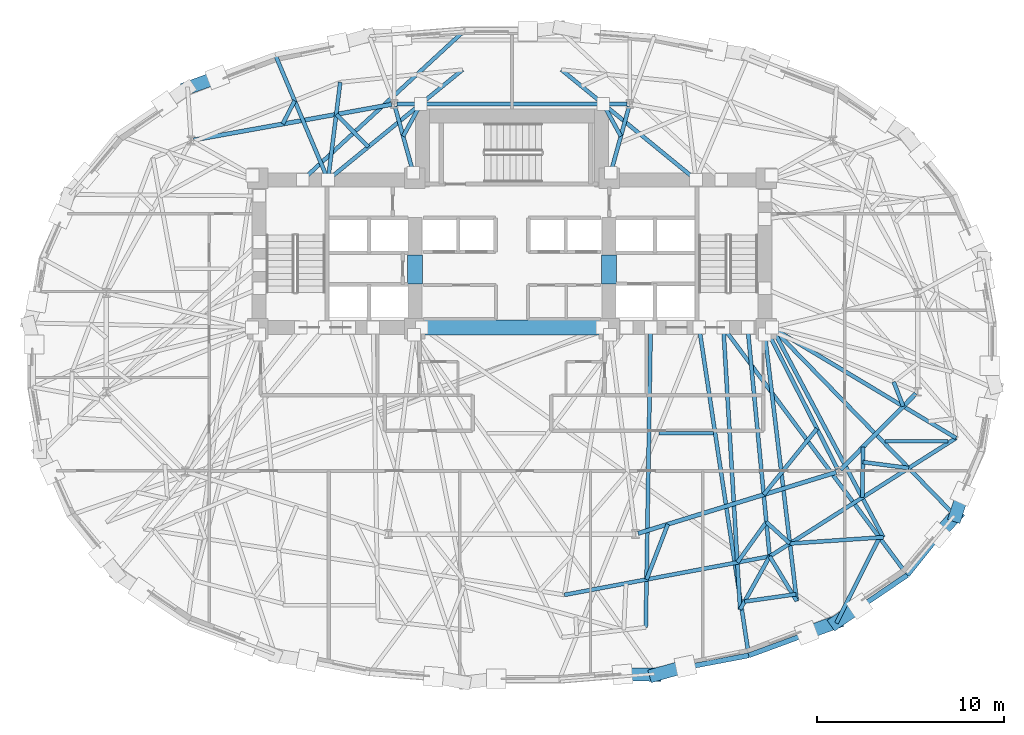
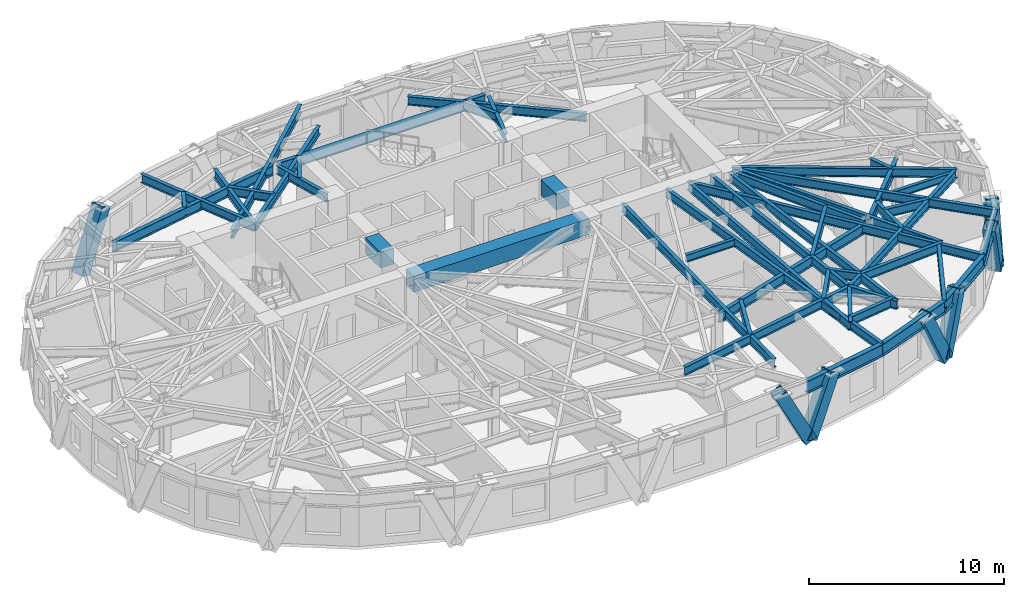
# One storey, part 3 of 14: 48 beams, 7 members.
"""IFC4 building model written with IfcOpenShell, lengths in metres."""

from ifc_helpers import new_model, si_unit, direction, frame, origin, origin_2d, place, context, subcontext, project, spatial, rectangle, hollow_rectangle, i_section, extrude, material, material_profile, profile_set, type_object, element, save


model = new_model("IFC4")

# Units and contexts
model_context = context("Model", 3, precision=1e-05, world=origin(), true_north=direction((0.0, 1.0)))
body_context = subcontext(model_context, "Body", "Model", "MODEL_VIEW")
ifc_project = project(units=[si_unit("LENGTHUNIT", "METRE"), si_unit("AREAUNIT", "SQUARE_METRE"), si_unit("VOLUMEUNIT", "CUBIC_METRE"), si_unit("PLANEANGLEUNIT", "RADIAN"), si_unit("MASSUNIT", "GRAM", prefix="KILO")], contexts=[model_context])

# Site, building, storey
site_placement = place(None, origin())
site = spatial("IfcSite", under=ifc_project, at=site_placement, CompositionType="ELEMENT")
building_placement = place(site_placement, origin())
building = spatial("IfcBuilding", under=site, at=building_placement, Name="Keldmark Tower", CompositionType="ELEMENT")
storey_placement = place(building_placement, frame((0.0, 0.0, 124.60009765625)))
storey = spatial("IfcBuildingStorey", under=building, at=storey_placement, Name="L33", CompositionType="ELEMENT", Elevation=124.60009765625)

# Beams
ifc_material_1 = material(Name="Steel ASTM A992 Grade 50", Category="steel")
ifc_material_profile_1 = material_profile(ifc_material_1, i_section(OverallWidth=0.19091796875, OverallDepth=0.45703125, WebThickness=0.009033203125, FlangeThickness=0.014404296875, at=origin_2d()), Name="W18X50")
ifc_profile_set_1 = profile_set([ifc_material_profile_1], Name="Steel ASTM A992 Grade 50")
beam_type_1 = type_object("IfcBeamType", Name="Composite Floor Joist W18X50", PredefinedType="JOIST", material=ifc_profile_set_1)
beam_1_placement = place(storey_placement, frame((7.868408203125, -4.179931640625, 3.081298828125), z_axis=(1.0, 0.0, 0.0), x_axis=(0.0, 1.0, 0.0)))
element("IfcBeam", 1, at=beam_1_placement, inside=storey, type_object=beam_type_1, Name="L33 Composite Floor Joist J03", PredefinedType="JOIST", context=body_context, shape_type="SweptSolid", body=[
    extrude(i_section(OverallWidth=0.19091796875, OverallDepth=0.45703125, WebThickness=0.009033203125, FlangeThickness=0.014404296875, at=origin_2d()), origin(), (0.0, 0.0, 1.0), 2.90087890625),
])
beam_2_placement = place(storey_placement, frame((19.949462890625, -4.60009765625, 3.081298828125), z_axis=(1.0, 0.0, 0.0), x_axis=(0.0, 1.0, 0.0)))
element("IfcBeam", 2, at=beam_2_placement, inside=storey, type_object=beam_type_1, Name="L33 Composite Floor Joist J04", PredefinedType="JOIST", context=body_context, shape_type="SweptSolid", body=[
    extrude(i_section(OverallWidth=0.19091796875, OverallDepth=0.45703125, WebThickness=0.009033203125, FlangeThickness=0.014404296875, at=origin_2d()), origin(), (0.0, 0.0, 1.0), 3.36669921875),
])
ifc_material_2 = material(Name="Concrete C70/85", Category="concrete")
ifc_material_profile_2 = material_profile(ifc_material_2, rectangle(XDim=0.800048828125, YDim=1.0, at=origin_2d()), Name="RCB800X1000")
ifc_profile_set_2 = profile_set([ifc_material_profile_2], Name="Concrete C70/85")
beam_type_2 = type_object("IfcBeamType", Name="Core Coupling Beam RCB800X1000", PredefinedType="USERDEFINED", material=ifc_profile_set_2)
for number, where, z_axis, x_axis, name in (
    (3, (-5.199951171875, 3.800048828125, 2.809814453125), (0.0, 1.0, 0.0), (-1.0, 0.0, 0.0), "L33 West Core Coupling Beam"),
    (4, (5.199951171875, 3.800048828125, 2.809814453125), (0.0, 1.0, 0.0), (-1.0, 0.0, 0.0), "L33 East Core Coupling Beam"),
):
    element("IfcBeam", number, at=place(storey_placement, frame(where, z_axis=z_axis, x_axis=x_axis)), inside=storey, type_object=beam_type_2, Name=name, ObjectType="COUPLING BEAM", PredefinedType="USERDEFINED", context=body_context, shape_type="SweptSolid", body=[
        extrude(rectangle(XDim=0.800048828125, YDim=1.0, at=origin_2d()), origin(), (0.0, 0.0, 1.0), 1.550048828125),
    ])
beam_3_placement = place(storey_placement, frame((-5.199951171875, 1.47509765625, 2.809814453125), z_axis=(1.0, 0.0, 0.0), x_axis=(0.0, 1.0, 0.0)))
element("IfcBeam", 5, at=beam_3_placement, inside=storey, type_object=beam_type_2, Name="L33 Central South Core Coupling Beam", ObjectType="COUPLING BEAM", PredefinedType="USERDEFINED", context=body_context, shape_type="SweptSolid", body=[
    extrude(rectangle(XDim=0.800048828125, YDim=1.0, at=origin_2d()), origin(), (0.0, 0.0, 1.0), 10.39990234375),
])

# Members
ifc_material_3 = material(Name="Steel ASTM A572 Grade 50", Category="steel")
ifc_material_profile_3 = material_profile(ifc_material_3, hollow_rectangle(XDim=0.699951171875, YDim=0.699951171875, WallThickness=0.044921875, at=origin_2d()), Name="BOX700X700X45")
ifc_profile_set_3 = profile_set([ifc_material_profile_3], Name="Steel ASTM A572 Grade 50")
member_type = type_object("IfcMemberType", Name="Diagrid Zone 2 Brace BOX700X700X45", PredefinedType="BRACE", material=ifc_profile_set_3)
member_1_placement = place(storey_placement, frame((-17.331787109375, 14.2890625, -0.27001953125), z_axis=(0.408255159444, 0.148837730918, 0.900652571551), x_axis=(-0.342517966183, 0.93951127872, 0.0)))
element("IfcMember", 6, at=member_1_placement, inside=storey, type_object=member_type, Name="L33 Perimeter Diagrid Brace 06A", PredefinedType="BRACE", context=body_context, shape_type="SweptSolid", body=[
    extrude(hollow_rectangle(XDim=0.699951171875, YDim=0.699951171875, WallThickness=0.044921875, at=origin_2d()), origin(), (0.0, 0.0, 1.0), 3.841552734375),
])
member_2_placement = place(storey_placement, frame((7.672607421875, -17.102294921875, -0.27001953125), z_axis=(-0.453185587123, 0.005157698563, 0.891401268661), x_axis=(-0.011380248427, -0.999935242876, 0.0)))
element("IfcMember", 7, at=member_2_placement, inside=storey, type_object=member_type, Name="L33 Perimeter Diagrid Brace 13A", PredefinedType="BRACE", context=body_context, shape_type="SweptSolid", body=[
    extrude(hollow_rectangle(XDim=0.699951171875, YDim=0.699951171875, WallThickness=0.044921875, at=origin_2d()), origin(), (0.0, 0.0, 1.0), 3.881591796875),
])
member_3_placement = place(storey_placement, frame((7.6611328125, -17.1044921875, -0.27001953125), z_axis=(0.421325777377, 0.118638639315, 0.899115933893), x_axis=(-0.271043582682, 0.962567076253, 0.0)))
element("IfcMember", 8, at=member_3_placement, inside=storey, type_object=member_type, Name="L33 Perimeter Diagrid Brace 13B", PredefinedType="BRACE", context=body_context, shape_type="SweptSolid", body=[
    extrude(hollow_rectangle(XDim=0.699951171875, YDim=0.699951171875, WallThickness=0.044921875, at=origin_2d()), origin(), (0.0, 0.0, 1.0), 3.84814453125),
])
member_4_placement = place(storey_placement, frame((17.331787109375, -14.2890625, -0.27001953125), z_axis=(-0.408255159444, -0.148837730918, 0.900652571551), x_axis=(0.342517966183, -0.93951127872, 0.0)))
element("IfcMember", 9, at=member_4_placement, inside=storey, type_object=member_type, Name="L33 Perimeter Diagrid Brace 14A", PredefinedType="BRACE", context=body_context, shape_type="SweptSolid", body=[
    extrude(hollow_rectangle(XDim=0.699951171875, YDim=0.699951171875, WallThickness=0.044921875, at=origin_2d()), origin(), (0.0, 0.0, 1.0), 3.841552734375),
])
member_5_placement = place(storey_placement, frame((17.322021484375, -14.29541015625, -0.27001953125), z_axis=(0.332975985914, 0.227601386532, 0.915054425514), x_axis=(-0.564305085306, 0.825566333312, 0.0)))
element("IfcMember", 10, at=member_5_placement, inside=storey, type_object=member_type, Name="L33 Perimeter Diagrid Brace 14B", PredefinedType="BRACE", context=body_context, shape_type="SweptSolid", body=[
    extrude(hollow_rectangle(XDim=0.699951171875, YDim=0.699951171875, WallThickness=0.044921875, at=origin_2d()), origin(), (0.0, 0.0, 1.0), 3.78125),
])
member_6_placement = place(storey_placement, frame((23.7333984375, -8.57958984375, -0.27001953125), z_axis=(-0.250572025596, -0.27604171934, 0.927908739679), x_axis=(0.740440522639, -0.672121888079, 0.0)))
element("IfcMember", 11, at=member_6_placement, inside=storey, type_object=member_type, Name="L33 Perimeter Diagrid Brace 15A", PredefinedType="BRACE", context=body_context, shape_type="SweptSolid", body=[
    extrude(hollow_rectangle(XDim=0.699951171875, YDim=0.699951171875, WallThickness=0.044921875, at=origin_2d()), origin(), (0.0, 0.0, 1.0), 3.728759765625),
])
member_7_placement = place(storey_placement, frame((23.72705078125, -8.58935546875, -0.27001953125), z_axis=(0.105278701487, 0.318893440489, 0.94192535194), x_axis=(-0.949589769404, 0.313495246923, 0.0)))
element("IfcMember", 12, at=member_7_placement, inside=storey, type_object=member_type, Name="L33 Perimeter Diagrid Brace 15B", PredefinedType="BRACE", context=body_context, shape_type="SweptSolid", body=[
    extrude(hollow_rectangle(XDim=0.699951171875, YDim=0.699951171875, WallThickness=0.044921875, at=origin_2d()), origin(), (0.0, 0.0, 1.0), 3.67333984375),
])

# Beams
ifc_material_4 = material(Name="Steel ASTM A992 Grade 50", Category="steel")
ifc_material_profile_4 = material_profile(ifc_material_4, i_section(OverallWidth=0.22900390625, OverallDepth=0.612060546875, WebThickness=0.011962890625, FlangeThickness=0.01953125, at=origin_2d()), Name="W24X84")
ifc_profile_set_4 = profile_set([ifc_material_profile_4], Name="Steel ASTM A992 Grade 50")
beam_type_3 = type_object("IfcBeamType", Name="Primary Floor Girder W24X84", PredefinedType="BEAM", material=ifc_profile_set_4)
beam_4_placement = place(storey_placement, frame((6.15869140625, 13.4326171875, 3.00390625), z_axis=(-1.0, 0.0, 0.0), x_axis=(0.0, -1.0, 0.0)))
element("IfcBeam", 13, at=beam_4_placement, inside=storey, type_object=beam_type_3, Name="L33 Floor Ring Girder FG-R03", PredefinedType="BEAM", context=body_context, shape_type="SweptSolid", body=[
    extrude(i_section(OverallWidth=0.22900390625, OverallDepth=0.612060546875, WebThickness=0.011962890625, FlangeThickness=0.01953125, at=origin_2d()), origin(), (0.0, 0.0, 1.0), 12.3173828125),
])
beam_5_placement = place(storey_placement, frame((-6.4365234375, 13.40771484375, 3.00390625), z_axis=(-0.984218266992, -0.176958760505, 0.0), x_axis=(0.176958760505, -0.984218266992, 0.0)))
element("IfcBeam", 14, at=beam_5_placement, inside=storey, type_object=beam_type_3, Name="L33 Floor Ring Girder FG-R04", PredefinedType="BEAM", context=body_context, shape_type="SweptSolid", body=[
    extrude(i_section(OverallWidth=0.22900390625, OverallDepth=0.612060546875, WebThickness=0.011962890625, FlangeThickness=0.01953125, at=origin_2d()), origin(), (0.0, 0.0, 1.0), 10.7626953125),
])
beam_6_placement = place(storey_placement, frame((6.74658203125, -9.5380859375, 3.00390625), z_axis=(0.955607954968, 0.294641199432, 0.0), x_axis=(-0.294641199432, 0.955607954968, 0.0)))
element("IfcBeam", 15, at=beam_6_placement, inside=storey, type_object=beam_type_3, Name="L33 Floor Ring Girder FG-R10", PredefinedType="BEAM", context=body_context, shape_type="SweptSolid", body=[
    extrude(i_section(OverallWidth=0.22900390625, OverallDepth=0.612060546875, WebThickness=0.011962890625, FlangeThickness=0.01953125, at=origin_2d()), origin(), (0.0, 0.0, 1.0), 11.089111328125),
])
beam_7_placement = place(storey_placement, frame((17.57568359375, -6.130126953125, 3.00390625), z_axis=(0.703425791323, 0.71076870788, 0.0), x_axis=(-0.71076870788, 0.703425791323, 0.0)))
element("IfcBeam", 16, at=beam_7_placement, inside=storey, type_object=beam_type_3, Name="L33 Floor Ring Girder FG-R11", PredefinedType="BEAM", context=body_context, shape_type="SweptSolid", body=[
    extrude(i_section(OverallWidth=0.22900390625, OverallDepth=0.612060546875, WebThickness=0.011962890625, FlangeThickness=0.01953125, at=origin_2d()), origin(), (0.0, 0.0, 1.0), 5.71875),
])
ifc_material_5 = material(Name="Steel ASTM A992 Grade 50", Category="steel")
ifc_material_profile_5 = material_profile(ifc_material_5, i_section(OverallWidth=0.2099609375, OverallDepth=0.537109375, WebThickness=0.010986328125, FlangeThickness=0.017333984375, at=origin_2d()), Name="W21X68")
ifc_profile_set_5 = profile_set([ifc_material_profile_5], Name="Steel ASTM A992 Grade 50")
beam_type_4 = type_object("IfcBeamType", Name="Radial Tie Girder W21X68", PredefinedType="BEAM", material=ifc_profile_set_5)
for number, where, z_axis, x_axis, name in (
    (17, (6.26171875, 13.297607421875, 3.04150390625), (-0.265997186795, -0.963973804944, 0.0), (0.963973804944, -0.265997186795, 0.0), "L33 Floor Radial Girder FG-C03"),
    (18, (-6.26171875, 13.297607421875, 3.04150390625), (0.265997186795, -0.963973804944, 0.0), (0.963973804944, 0.265997186795, 0.0), "L33 Floor Radial Girder FG-C04"),
):
    element("IfcBeam", number, at=place(storey_placement, frame(where, z_axis=z_axis, x_axis=x_axis)), inside=storey, type_object=beam_type_4, Name=name, PredefinedType="BEAM", context=body_context, shape_type="SweptSolid", body=[
        extrude(i_section(OverallWidth=0.2099609375, OverallDepth=0.537109375, WebThickness=0.010986328125, FlangeThickness=0.017333984375, at=origin_2d()), origin(), (0.0, 0.0, 1.0), 3.67138671875),
    ])
beam_8_placement = place(storey_placement, frame((17.413818359375, -6.104736328125, 3.04150390625), z_axis=(-0.453028637759, 0.891495963743, 0.0), x_axis=(-0.891495963743, -0.453028637759, 0.0)))
element("IfcBeam", 19, at=beam_8_placement, inside=storey, type_object=beam_type_4, Name="L33 Floor Radial Girder FG-C11", PredefinedType="BEAM", context=body_context, shape_type="SweptSolid", body=[
    extrude(i_section(OverallWidth=0.2099609375, OverallDepth=0.537109375, WebThickness=0.010986328125, FlangeThickness=0.017333984375, at=origin_2d()), origin(), (0.0, 0.0, 1.0), 8.09814453125),
])
beam_9_placement = place(storey_placement, frame((5.822265625, 11.705078125, 3.04150390625), z_axis=(-0.479269211675, 0.877667945604, 0.0), x_axis=(-0.877667945604, -0.479269211675, 0.0)))
element("IfcBeam", 20, at=beam_9_placement, inside=storey, type_object=beam_type_4, Name="L33 Framing Pin Header PH-003", PredefinedType="BEAM", context=body_context, shape_type="SweptSolid", body=[
    extrude(i_section(OverallWidth=0.2099609375, OverallDepth=0.537109375, WebThickness=0.010986328125, FlangeThickness=0.017333984375, at=origin_2d()), origin(), (0.0, 0.0, 1.0), 1.96826171875),
])
beam_10_placement = place(storey_placement, frame((9.83935546875, 9.375, 3.04150390625), z_axis=(-0.774026318723, 0.633153423685, 0.0), x_axis=(-0.633153423685, -0.774026318723, 0.0)))
element("IfcBeam", 21, at=beam_10_placement, inside=storey, type_object=beam_type_4, Name="L33 Sub-Ring Step Girder STP1-M03", PredefinedType="BEAM", context=body_context, shape_type="SweptSolid", body=[
    extrude(i_section(OverallWidth=0.2099609375, OverallDepth=0.537109375, WebThickness=0.010986328125, FlangeThickness=0.017333984375, at=origin_2d()), origin(), (0.0, 0.0, 1.0), 9.2978515625),
])
beam_11_placement = place(storey_placement, frame((-5.822265625, 11.705078125, 3.04150390625), z_axis=(0.479269211675, 0.877667945604, 0.0), x_axis=(-0.877667945604, 0.479269211675, 0.0)))
element("IfcBeam", 22, at=beam_11_placement, inside=storey, type_object=beam_type_4, Name="L33 Framing Pin Header PH-004", PredefinedType="BEAM", context=body_context, shape_type="SweptSolid", body=[
    extrude(i_section(OverallWidth=0.2099609375, OverallDepth=0.537109375, WebThickness=0.010986328125, FlangeThickness=0.017333984375, at=origin_2d()), origin(), (0.0, 0.0, 1.0), 1.96826171875),
])
beam_12_placement = place(storey_placement, frame((-9.83935546875, 9.375, 3.04150390625), z_axis=(0.774026318723, 0.633153423685, 0.0), x_axis=(-0.633153423685, 0.774026318723, 0.0)))
element("IfcBeam", 23, at=beam_12_placement, inside=storey, type_object=beam_type_4, Name="L33 Sub-Ring Step Girder STP1-M04", PredefinedType="BEAM", context=body_context, shape_type="SweptSolid", body=[
    extrude(i_section(OverallWidth=0.2099609375, OverallDepth=0.537109375, WebThickness=0.010986328125, FlangeThickness=0.017333984375, at=origin_2d()), origin(), (0.0, 0.0, 1.0), 9.2978515625),
])
beam_13_placement = place(storey_placement, frame((-7.680419921875, 11.14111328125, 3.04150390625), z_axis=(-0.704804986966, 0.709401106813, 0.0), x_axis=(-0.709401106813, -0.704804986966, 0.0)))
element("IfcBeam", 24, at=beam_13_placement, inside=storey, type_object=beam_type_4, Name="L33 Framing Pin Header PH-005", PredefinedType="BEAM", context=body_context, shape_type="SweptSolid", body=[
    extrude(i_section(OverallWidth=0.2099609375, OverallDepth=0.537109375, WebThickness=0.010986328125, FlangeThickness=0.017333984375, at=origin_2d()), origin(), (0.0, 0.0, 1.0), 2.443359375),
])
beam_14_placement = place(storey_placement, frame((-9.83935546875, 9.375, 3.04150390625), z_axis=(0.123828856839, 0.992303589741, 0.0), x_axis=(-0.992303589741, 0.123828856839, 0.0)))
element("IfcBeam", 25, at=beam_14_placement, inside=storey, type_object=beam_type_4, Name="L33 Sub-Ring Step Girder STP1-M05", PredefinedType="BEAM", context=body_context, shape_type="SweptSolid", body=[
    extrude(i_section(OverallWidth=0.2099609375, OverallDepth=0.537109375, WebThickness=0.010986328125, FlangeThickness=0.017333984375, at=origin_2d()), origin(), (0.0, 0.0, 1.0), 5.25439453125),
])
beam_15_placement = place(storey_placement, frame((16.313232421875, -3.93896484375, 3.04150390625), z_axis=(-0.628195461395, -0.778055565035, 0.0), x_axis=(0.778055565035, -0.628195461395, 0.0)))
element("IfcBeam", 26, at=beam_15_placement, inside=storey, type_object=beam_type_4, Name="L33 Framing Pin Header PH-012", PredefinedType="BEAM", context=body_context, shape_type="SweptSolid", body=[
    extrude(i_section(OverallWidth=0.2099609375, OverallDepth=0.537109375, WebThickness=0.010986328125, FlangeThickness=0.017333984375, at=origin_2d()), origin(), (0.0, 0.0, 1.0), 4.533935546875),
])
beam_16_placement = place(storey_placement, frame((12.603515625, 1.47509765625, 3.04150390625), z_axis=(0.095920780364, -0.995388971154, 0.0), x_axis=(0.995388971154, 0.095920780364, 0.0)))
element("IfcBeam", 27, at=beam_16_placement, inside=storey, type_object=beam_type_4, Name="L33 Sub-Ring Step Girder STP2-M11", PredefinedType="BEAM", context=body_context, shape_type="SweptSolid", body=[
    extrude(i_section(OverallWidth=0.2099609375, OverallDepth=0.537109375, WebThickness=0.010986328125, FlangeThickness=0.017333984375, at=origin_2d()), origin(), (0.0, 0.0, 1.0), 12.301025390625),
])
beam_17_placement = place(storey_placement, frame((20.416748046875, -1.433837890625, 3.04150390625), z_axis=(0.363560869249, -0.93157044519, 0.0), x_axis=(0.93157044519, 0.363560869249, 0.0)))
element("IfcBeam", 28, at=beam_17_placement, inside=storey, type_object=beam_type_4, Name="L33 Framing Pin Header PH-013", PredefinedType="BEAM", context=body_context, shape_type="SweptSolid", body=[
    extrude(i_section(OverallWidth=0.2099609375, OverallDepth=0.537109375, WebThickness=0.010986328125, FlangeThickness=0.017333984375, at=origin_2d()), origin(), (0.0, 0.0, 1.0), 1.405517578125),
])
beam_18_placement = place(storey_placement, frame((13.89990234375, 1.47509765625, 3.04150390625), z_axis=(0.857412310536, -0.514630090201, 0.0), x_axis=(0.514630090201, 0.857412310536, 0.0)))
element("IfcBeam", 29, at=beam_18_placement, inside=storey, type_object=beam_type_4, Name="L33 Sub-Ring Step Girder STP2-M12", PredefinedType="BEAM", context=body_context, shape_type="SweptSolid", body=[
    extrude(i_section(OverallWidth=0.2099609375, OverallDepth=0.537109375, WebThickness=0.010986328125, FlangeThickness=0.017333984375, at=origin_2d()), origin(), (0.0, 0.0, 1.0), 11.491943359375),
])
beam_19_placement = place(storey_placement, frame((2.804443359375, -12.829345703125, 3.04150390625), z_axis=(0.982847931043, 0.184417852838, 0.0), x_axis=(-0.184417852838, 0.982847931043, 0.0)))
element("IfcBeam", 30, at=beam_19_placement, inside=storey, type_object=beam_type_4, Name="L33 Perimeter Collector Ring Beam CRG2-M10", PredefinedType="BEAM", context=body_context, shape_type="SweptSolid", body=[
    extrude(i_section(OverallWidth=0.2099609375, OverallDepth=0.537109375, WebThickness=0.010986328125, FlangeThickness=0.017333984375, at=origin_2d()), origin(), (0.0, 0.0, 1.0), 11.170654296875),
])
beam_20_placement = place(storey_placement, frame((13.783447265625, -10.769287109375, 3.04150390625), z_axis=(0.84419989674, 0.536028482774, 0.0), x_axis=(-0.536028482774, 0.84419989674, 0.0)))
element("IfcBeam", 31, at=beam_20_placement, inside=storey, type_object=beam_type_4, Name="L33 Perimeter Collector Ring Beam CRG2-M11", PredefinedType="BEAM", context=body_context, shape_type="SweptSolid", body=[
    extrude(i_section(OverallWidth=0.2099609375, OverallDepth=0.537109375, WebThickness=0.010986328125, FlangeThickness=0.017333984375, at=origin_2d()), origin(), (0.0, 0.0, 1.0), 11.8095703125),
])
beam_21_placement = place(storey_placement, frame((-11.19287109375, 9.375, 3.04150390625), z_axis=(0.734892307756, 0.678183821689, 0.0), x_axis=(-0.678183821689, 0.734892307756, 0.0)))
element("IfcBeam", 32, at=beam_21_placement, inside=storey, type_object=beam_type_4, Name="L33 Perimeter Radial Tie Girder RT-09", PredefinedType="BEAM", context=body_context, shape_type="SweptSolid", body=[
    extrude(i_section(OverallWidth=0.2099609375, OverallDepth=0.537109375, WebThickness=0.010986328125, FlangeThickness=0.017333984375, at=origin_2d()), origin(), (0.0, 0.0, 1.0), 11.796142578125),
])
beam_22_placement = place(storey_placement, frame((-12.2626953125, 12.360107421875, 3.04150390625), z_axis=(0.455295606258, 0.890340334323, 0.0), x_axis=(-0.890340334323, 0.455295606258, 0.0)))
element("IfcBeam", 33, at=beam_22_placement, inside=storey, type_object=beam_type_4, Name="L33 Framing Pin Header PH-020", PredefinedType="BEAM", context=body_context, shape_type="SweptSolid", body=[
    extrude(i_section(OverallWidth=0.2099609375, OverallDepth=0.537109375, WebThickness=0.010986328125, FlangeThickness=0.017333984375, at=origin_2d()), origin(), (0.0, 0.0, 1.0), 1.3984375),
])
beam_23_placement = place(storey_placement, frame((-9.83935546875, 9.375, 3.04150390625), z_axis=(-0.389053190492, 0.921215292409, 0.0), x_axis=(-0.921215292409, -0.389053190492, 0.0)))
element("IfcBeam", 34, at=beam_23_placement, inside=storey, type_object=beam_type_4, Name="L33 Perimeter Radial Tie Girder RT-11", PredefinedType="BEAM", context=body_context, shape_type="SweptSolid", body=[
    extrude(i_section(OverallWidth=0.2099609375, OverallDepth=0.537109375, WebThickness=0.010986328125, FlangeThickness=0.017333984375, at=origin_2d()), origin(), (0.0, 0.0, 1.0), 7.262451171875),
])
beam_24_placement = place(storey_placement, frame((8.336181640625, -9.048095703125, 3.04150390625), z_axis=(-0.359484972026, -0.933150874665, 0.0), x_axis=(0.933150874665, -0.359484972026, 0.0)))
element("IfcBeam", 35, at=beam_24_placement, inside=storey, type_object=beam_type_4, Name="L33 Framing Pin Header PH-036", PredefinedType="BEAM", context=body_context, shape_type="SweptSolid", body=[
    extrude(i_section(OverallWidth=0.2099609375, OverallDepth=0.537109375, WebThickness=0.010986328125, FlangeThickness=0.017333984375, at=origin_2d()), origin(), (0.0, 0.0, 1.0), 3.1689453125),
])
beam_25_placement = place(storey_placement, frame((7.41796875, 1.47509765625, 3.04150390625), z_axis=(-0.016377769552, -0.999865875338, 0.0), x_axis=(0.999865875338, -0.016377769552, 0.0)))
element("IfcBeam", 36, at=beam_25_placement, inside=storey, type_object=beam_type_4, Name="L33 Intermediate Radial Step Girder RT-26M", PredefinedType="BEAM", context=body_context, shape_type="SweptSolid", body=[
    extrude(i_section(OverallWidth=0.2099609375, OverallDepth=0.537109375, WebThickness=0.010986328125, FlangeThickness=0.017333984375, at=origin_2d()), origin(), (0.0, 0.0, 1.0), 16.039794921875),
])
beam_26_placement = place(storey_placement, frame((13.6064453125, -8.9326171875, 3.04150390625), z_axis=(-0.583310798175, -0.812249046003, 0.0), x_axis=(0.812249046003, -0.583310798175, 0.0)))
element("IfcBeam", 37, at=beam_26_placement, inside=storey, type_object=beam_type_4, Name="L33 Framing Pin Header PH-038", PredefinedType="BEAM", context=body_context, shape_type="SweptSolid", body=[
    extrude(i_section(OverallWidth=0.2099609375, OverallDepth=0.537109375, WebThickness=0.010986328125, FlangeThickness=0.017333984375, at=origin_2d()), origin(), (0.0, 0.0, 1.0), 2.66064453125),
])
beam_27_placement = place(storey_placement, frame((11.30712890625, 1.47509765625, 3.04150390625), z_axis=(0.059361331212, -0.99823656132, 0.0), x_axis=(0.99823656132, 0.059361331212, 0.0)))
element("IfcBeam", 38, at=beam_27_placement, inside=storey, type_object=beam_type_4, Name="L33 Intermediate Radial Step Girder RT-27M", PredefinedType="BEAM", context=body_context, shape_type="SweptSolid", body=[
    extrude(i_section(OverallWidth=0.2099609375, OverallDepth=0.537109375, WebThickness=0.010986328125, FlangeThickness=0.017333984375, at=origin_2d()), origin(), (0.0, 0.0, 1.0), 15.1103515625),
])
beam_28_placement = place(storey_placement, frame((13.783447265625, -10.769287109375, 3.04150390625), z_axis=(-0.486095846732, -0.873905502781, 0.0), x_axis=(0.873905502781, -0.486095846732, 0.0)))
element("IfcBeam", 39, at=beam_28_placement, inside=storey, type_object=beam_type_4, Name="L33 Local Collector Chord RT-27C", PredefinedType="BEAM", context=body_context, shape_type="SweptSolid", body=[
    extrude(i_section(OverallWidth=0.2099609375, OverallDepth=0.537109375, WebThickness=0.010986328125, FlangeThickness=0.017333984375, at=origin_2d()), origin(), (0.0, 0.0, 1.0), 3.2490234375),
])
beam_29_placement = place(storey_placement, frame((10.0107421875, 1.47509765625, 3.04150390625), z_axis=(0.149608875973, -0.988745257501, 0.0), x_axis=(0.988745257501, 0.149608875973, 0.0)))
element("IfcBeam", 40, at=beam_29_placement, inside=storey, type_object=beam_type_4, Name="L33 Perimeter Radial Tie Girder RT-27", PredefinedType="BEAM", context=body_context, shape_type="SweptSolid", body=[
    extrude(i_section(OverallWidth=0.2099609375, OverallDepth=0.537109375, WebThickness=0.010986328125, FlangeThickness=0.017333984375, at=origin_2d()), origin(), (0.0, 0.0, 1.0), 17.739990234375),
])
beam_30_placement = place(storey_placement, frame((13.6064453125, -8.9326171875, 3.04150390625), z_axis=(0.738181604681, -0.67460204455, 0.0), x_axis=(0.67460204455, 0.738181604681, 0.0)))
element("IfcBeam", 41, at=beam_30_placement, inside=storey, type_object=beam_type_4, Name="L33 Framing Pin Header PH-039", PredefinedType="BEAM", context=body_context, shape_type="SweptSolid", body=[
    extrude(i_section(OverallWidth=0.2099609375, OverallDepth=0.537109375, WebThickness=0.010986328125, FlangeThickness=0.017333984375, at=origin_2d()), origin(), (0.0, 0.0, 1.0), 1.704833984375),
])
beam_31_placement = place(storey_placement, frame((13.52490234375, 1.10009765625, 3.04150390625), z_axis=(0.118977615807, -0.992896936714, 0.0), x_axis=(0.992896936714, 0.118977615807, 0.0)))
element("IfcBeam", 42, at=beam_31_placement, inside=storey, type_object=beam_type_4, Name="L33 Intermediate Radial Step Girder RT-28M", PredefinedType="BEAM", context=body_context, shape_type="SweptSolid", body=[
    extrude(i_section(OverallWidth=0.2099609375, OverallDepth=0.537109375, WebThickness=0.010986328125, FlangeThickness=0.017333984375, at=origin_2d()), origin(), (0.0, 0.0, 1.0), 14.35986328125),
])
beam_32_placement = place(storey_placement, frame((13.783447265625, -10.769287109375, 3.04150390625), z_axis=(0.518934811287, -0.854813816942, 0.0), x_axis=(0.854813816942, 0.518934811287, 0.0)))
element("IfcBeam", 43, at=beam_32_placement, inside=storey, type_object=beam_type_4, Name="L33 Local Collector Chord RT-28C", PredefinedType="BEAM", context=body_context, shape_type="SweptSolid", body=[
    extrude(i_section(OverallWidth=0.2099609375, OverallDepth=0.537109375, WebThickness=0.010986328125, FlangeThickness=0.017333984375, at=origin_2d()), origin(), (0.0, 0.0, 1.0), 2.794189453125),
])
beam_33_placement = place(storey_placement, frame((12.44091796875, -13.182861328125, 3.04150390625), z_axis=(0.990152473716, 0.13999313838, 0.0), x_axis=(-0.13999313838, 0.990152473716, 0.0)))
element("IfcBeam", 44, at=beam_33_placement, inside=storey, type_object=beam_type_4, Name="L33 Framing Pin Header PH-040", PredefinedType="BEAM", context=body_context, shape_type="SweptSolid", body=[
    extrude(i_section(OverallWidth=0.2099609375, OverallDepth=0.537109375, WebThickness=0.010986328125, FlangeThickness=0.017333984375, at=origin_2d()), origin(), (0.0, 0.0, 1.0), 2.7763671875),
])
beam_34_placement = place(storey_placement, frame((18.78271484375, -4.91064453125, 3.04150390625), z_axis=(-0.017089983048, -0.999853955575, 0.0), x_axis=(0.999853955575, -0.017089983048, 0.0)))
element("IfcBeam", 45, at=beam_34_placement, inside=storey, type_object=beam_type_4, Name="L33 Framing Pin Header PH-041", PredefinedType="BEAM", context=body_context, shape_type="SweptSolid", body=[
    extrude(i_section(OverallWidth=0.2099609375, OverallDepth=0.537109375, WebThickness=0.010986328125, FlangeThickness=0.017333984375, at=origin_2d()), origin(), (0.0, 0.0, 1.0), 2.71435546875),
])
beam_35_placement = place(storey_placement, frame((13.89990234375, 1.47509765625, 3.04150390625), z_axis=(0.46932425964, -0.883025899571, 0.0), x_axis=(0.883025899571, 0.46932425964, 0.0)))
element("IfcBeam", 46, at=beam_35_placement, inside=storey, type_object=beam_type_4, Name="L33 Intermediate Radial Step Girder RT-29M", PredefinedType="BEAM", context=body_context, shape_type="SweptSolid", body=[
    extrude(i_section(OverallWidth=0.2099609375, OverallDepth=0.537109375, WebThickness=0.010986328125, FlangeThickness=0.017333984375, at=origin_2d()), origin(), (0.0, 0.0, 1.0), 12.706787109375),
])
beam_36_placement = place(storey_placement, frame((14.864990234375, -10.082763671875, 3.04150390625), z_axis=(0.997729613967, 0.067346992601, 0.0), x_axis=(-0.067346992601, 0.997729613967, 0.0)))
element("IfcBeam", 47, at=beam_36_placement, inside=storey, type_object=beam_type_4, Name="L33 Local Collector Chord RT-29C", PredefinedType="BEAM", context=body_context, shape_type="SweptSolid", body=[
    extrude(i_section(OverallWidth=0.2099609375, OverallDepth=0.537109375, WebThickness=0.010986328125, FlangeThickness=0.017333984375, at=origin_2d()), origin(), (0.0, 0.0, 1.0), 5.010009765625),
])
beam_37_placement = place(storey_placement, frame((17.355224609375, -14.338134765625, 3.04150390625), z_axis=(0.448928057577, 0.893567904034, 0.0), x_axis=(-0.893567904034, 0.448928057577, 0.0)))
element("IfcBeam", 48, at=beam_37_placement, inside=storey, type_object=beam_type_4, Name="L33 Framing Pin Header PH-042", PredefinedType="BEAM", context=body_context, shape_type="SweptSolid", body=[
    extrude(i_section(OverallWidth=0.2099609375, OverallDepth=0.537109375, WebThickness=0.010986328125, FlangeThickness=0.017333984375, at=origin_2d()), origin(), (0.0, 0.0, 1.0), 5.1240234375),
])
beam_38_placement = place(storey_placement, frame((11.30712890625, 1.47509765625, 3.04150390625), z_axis=(0.596442512985, -0.802655797154, 0.0), x_axis=(0.802655797154, 0.596442512985, 0.0)))
element("IfcBeam", 49, at=beam_38_placement, inside=storey, type_object=beam_type_4, Name="L33 Perimeter Radial Tie Girder RT-29", PredefinedType="BEAM", context=body_context, shape_type="SweptSolid", body=[
    extrude(i_section(OverallWidth=0.2099609375, OverallDepth=0.537109375, WebThickness=0.010986328125, FlangeThickness=0.017333984375, at=origin_2d()), origin(), (0.0, 0.0, 1.0), 16.498046875),
])
beam_39_placement = place(storey_placement, frame((18.768798828125, -5.724853515625, 3.04150390625), z_axis=(0.991515996219, -0.129984726958, 0.0), x_axis=(0.129984726958, 0.991515996219, 0.0)))
element("IfcBeam", 50, at=beam_39_placement, inside=storey, type_object=beam_type_4, Name="L33 Framing Pin Header PH-043", PredefinedType="BEAM", context=body_context, shape_type="SweptSolid", body=[
    extrude(i_section(OverallWidth=0.2099609375, OverallDepth=0.537109375, WebThickness=0.010986328125, FlangeThickness=0.017333984375, at=origin_2d()), origin(), (0.0, 0.0, 1.0), 2.4736328125),
])
beam_40_placement = place(storey_placement, frame((13.89990234375, 1.47509765625, 3.04150390625), z_axis=(0.697514742413, -0.71657043207, 0.0), x_axis=(0.71657043207, 0.697514742413, 0.0)))
element("IfcBeam", 51, at=beam_40_placement, inside=storey, type_object=beam_type_4, Name="L33 Perimeter Radial Tie Girder RT-30", PredefinedType="BEAM", context=body_context, shape_type="SweptSolid", body=[
    extrude(i_section(OverallWidth=0.2099609375, OverallDepth=0.537109375, WebThickness=0.010986328125, FlangeThickness=0.017333984375, at=origin_2d()), origin(), (0.0, 0.0, 1.0), 14.0419921875),
])
ifc_material_6 = material(Name="Steel ASTM A992 Grade 50", Category="steel")
ifc_material_profile_6 = material_profile(ifc_material_6, i_section(OverallWidth=0.26806640625, OverallDepth=0.77001953125, WebThickness=0.015625, FlangeThickness=0.025390625, at=origin_2d()), Name="W30X132")
ifc_profile_set_6 = profile_set([ifc_material_profile_6], Name="Steel ASTM A992 Grade 50")
beam_type_5 = type_object("IfcBeamType", Name="Spandrel Ring Beam W30X132", PredefinedType="SPANDREL", material=ifc_profile_set_6)
beam_41_placement = place(storey_placement, frame((7.6171875, -17.025390625, 2.9248046875), z_axis=(0.982383038938, 0.186878476041, 0.0), x_axis=(-0.186878476041, 0.982383038938, 0.0)))
element("IfcBeam", 52, at=beam_41_placement, inside=storey, type_object=beam_type_5, Name="L33 Perimeter Spandrel Ring Beam SRB-26", PredefinedType="SPANDREL", context=body_context, shape_type="SweptSolid", body=[
    extrude(i_section(OverallWidth=0.26806640625, OverallDepth=0.77001953125, WebThickness=0.015625, FlangeThickness=0.025390625, at=origin_2d()), origin(), (0.0, 0.0, 1.0), 5.13818359375),
])
beam_42_placement = place(storey_placement, frame((12.664794921875, -16.065185546875, 2.9248046875), z_axis=(0.938408147313, 0.345528796278, 0.0), x_axis=(-0.345528796278, 0.938408147313, 0.0)))
element("IfcBeam", 53, at=beam_42_placement, inside=storey, type_object=beam_type_5, Name="L33 Perimeter Spandrel Ring Beam SRB-27", PredefinedType="SPANDREL", context=body_context, shape_type="SweptSolid", body=[
    extrude(i_section(OverallWidth=0.26806640625, OverallDepth=0.77001953125, WebThickness=0.015625, FlangeThickness=0.025390625, at=origin_2d()), origin(), (0.0, 0.0, 1.0), 4.998291015625),
])
beam_43_placement = place(storey_placement, frame((17.355224609375, -14.338134765625, 2.9248046875), z_axis=(0.827687941294, 0.561188624116, 0.0), x_axis=(-0.561188624116, 0.827687941294, 0.0)))
element("IfcBeam", 54, at=beam_43_placement, inside=storey, type_object=beam_type_5, Name="L33 Perimeter Spandrel Ring Beam SRB-28", PredefinedType="SPANDREL", context=body_context, shape_type="SweptSolid", body=[
    extrude(i_section(OverallWidth=0.26806640625, OverallDepth=0.77001953125, WebThickness=0.015625, FlangeThickness=0.025390625, at=origin_2d()), origin(), (0.0, 0.0, 1.0), 4.58154296875),
])
beam_44_placement = place(storey_placement, frame((21.147216796875, -11.76708984375, 2.9248046875), z_axis=(0.625140688788, 0.780512087813, 0.0), x_axis=(-0.780512087813, 0.625140688788, 0.0)))
element("IfcBeam", 55, at=beam_44_placement, inside=storey, type_object=beam_type_5, Name="L33 Perimeter Spandrel Ring Beam SRB-29", PredefinedType="SPANDREL", context=body_context, shape_type="SweptSolid", body=[
    extrude(i_section(OverallWidth=0.26806640625, OverallDepth=0.77001953125, WebThickness=0.015625, FlangeThickness=0.025390625, at=origin_2d()), origin(), (0.0, 0.0, 1.0), 4.074462890625),
])

save(model, "model.ifc")
